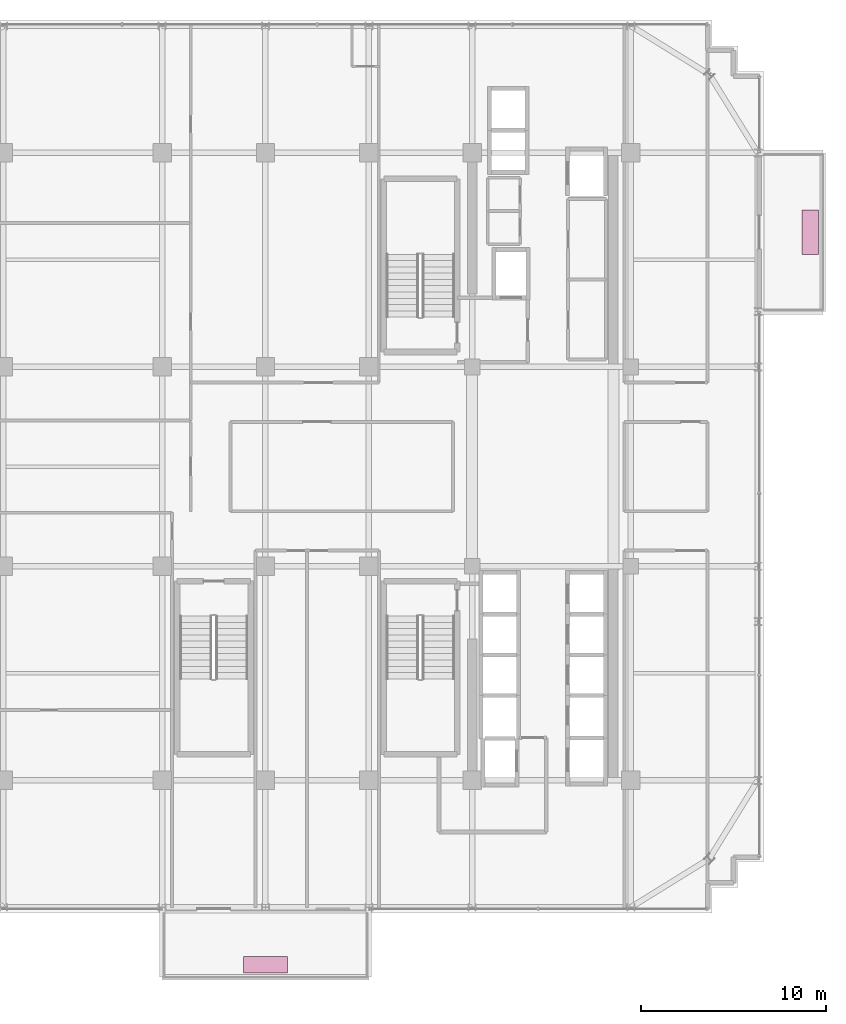
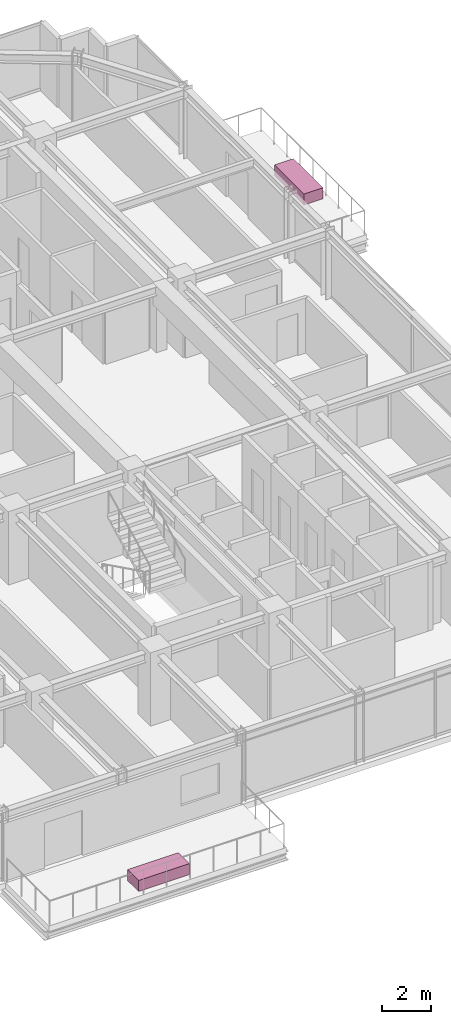
# One storey, part 36 of 36: 2 furnishings.
"""IFC4 building model written with IfcOpenShell, lengths in metres."""

from ifc_helpers import new_model, si_unit, direction, frame, origin, origin_2d, place, context, subcontext, project, spatial, rectangle, extrude, source, transform, mapped, material, type_object, element, save


model = new_model("IFC4")

# Units and contexts
model_context = context("Model", 3, precision=1e-05, world=origin(), true_north=direction((0.0, 1.0)))
body_context = subcontext(model_context, "Body", "Model", "MODEL_VIEW")
ifc_project = project(units=[si_unit("LENGTHUNIT", "METRE"), si_unit("AREAUNIT", "SQUARE_METRE"), si_unit("VOLUMEUNIT", "CUBIC_METRE"), si_unit("PLANEANGLEUNIT", "RADIAN"), si_unit("MASSUNIT", "GRAM", prefix="KILO")], contexts=[model_context])

# Site, building, storey
site_placement = place(None, origin())
site = spatial("IfcSite", under=ifc_project, at=site_placement, CompositionType="ELEMENT")
building_placement = place(site_placement, origin())
building = spatial("IfcBuilding", under=site, at=building_placement, Name="Nahalor Promenade Grand Hotel", CompositionType="ELEMENT")
storey_placement = place(building_placement, frame((0.0, 0.0, 253.0)))
storey = spatial("IfcBuildingStorey", under=building, at=storey_placement, Name="L65", CompositionType="ELEMENT", Elevation=253.0)

# Furnishings
ifc_material = material(Name="Vegetated Volcanic-Lapilli Tree Planter", Category="earth")
furnishing_element_type = type_object("IfcFurnishingElementType", Name="Planter-VerticalForest-Box", material=ifc_material)
shared_shape = source(origin(), body_context, "Body", "SweptSolid", [
    extrude(rectangle(XDim=2.39990234375, YDim=0.89990234375, at=origin_2d()), origin(), (0.0, 0.0, 1.0), 0.550048828125),
])
for number, where, z_axis, x_axis, name in (
    (1, (-2.800048828125, -27.0, 0.0), (0.0, 0.0, 1.0), (1.0, 0.0, 0.0), "L65 Balcony Structural Tree Planter 1"),
    (2, (26.72998046875, 12.699951171875, 0.0), (0.0, 0.0, 1.0), (0.0, 1.0, 0.0), "L65 Balcony Structural Tree Planter 2"),
):
    element("IfcFurnishingElement", number, at=place(storey_placement, frame(where, z_axis=z_axis, x_axis=x_axis)), inside=storey, type_object=furnishing_element_type, Name=name, ObjectType="PLANTER", context=body_context, shape_type="MappedRepresentation", body=[
        mapped(shared_shape, transform((0.0, 0.0, 0.0), scale=1.0)),
    ])

save(model, "model.ifc")
